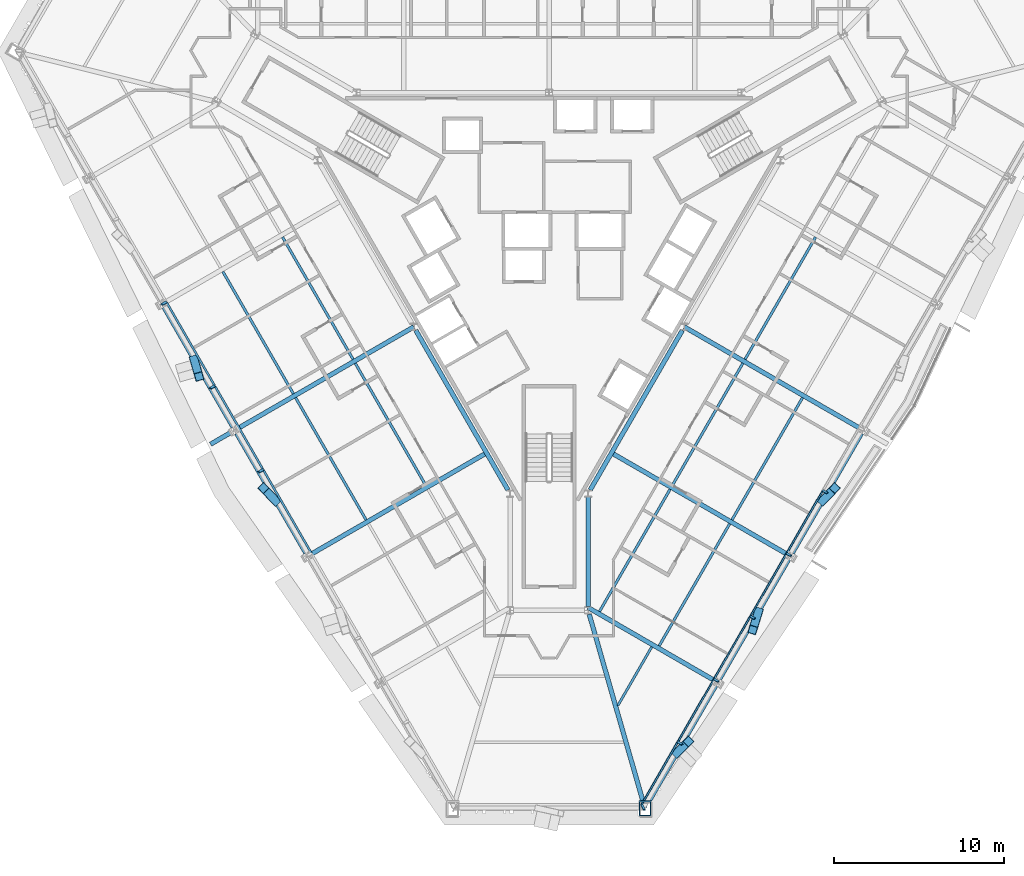
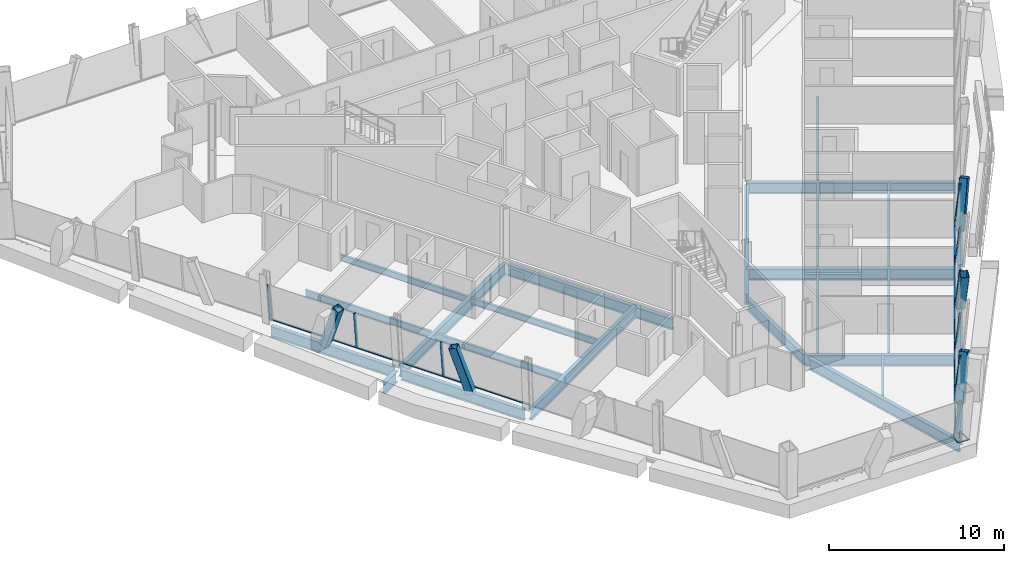
# One storey, part 3 of 15: 25 beams, 23 members, 2 elements without a shape of their own.
"""IFC4 building model written with IfcOpenShell, lengths in metres."""

from ifc_helpers import new_model, si_unit, direction, frame, origin, origin_2d, place, context, subcontext, project, spatial, rectangle, hollow_rectangle, i_section, extrude, material, material_profile, profile_set, type_object, element, aggregate, save


model = new_model("IFC4")

# Units and contexts
model_context = context("Model", 3, precision=1e-05, world=origin(), true_north=direction((0.0, 1.0)))
body_context = subcontext(model_context, "Body", "Model", "MODEL_VIEW")
ifc_project = project(units=[si_unit("LENGTHUNIT", "METRE"), si_unit("AREAUNIT", "SQUARE_METRE"), si_unit("VOLUMEUNIT", "CUBIC_METRE"), si_unit("PLANEANGLEUNIT", "RADIAN"), si_unit("MASSUNIT", "GRAM", prefix="KILO")], contexts=[model_context])

# Site, building, storey
site_placement = place(None, origin())
site = spatial("IfcSite", under=ifc_project, at=site_placement, CompositionType="ELEMENT")
building_placement = place(site_placement, origin())
building = spatial("IfcBuilding", under=site, at=building_placement, Name="Verrane Prism Tower", CompositionType="ELEMENT")
storey_placement = place(building_placement, frame((0.0, 0.0, 72.800048828125)))
storey = spatial("IfcBuildingStorey", under=building, at=storey_placement, Name="L16", CompositionType="ELEMENT", Elevation=72.800048828125)

# Beams
ifc_material_1 = material(Name="Steel A992", Category="steel")
ifc_material_profile_1 = material_profile(ifc_material_1, i_section(OverallWidth=0.2666015625, OverallDepth=0.7568359375, WebThickness=0.013916015625, FlangeThickness=0.019287109375, FilletRadius=0.0166015625, at=origin_2d()), Name="W30x108")
ifc_profile_set_1 = profile_set([ifc_material_profile_1], Name="Steel A992")
beam_type_1 = type_object("IfcBeamType", Name="Core ring girder W30x108", PredefinedType="BEAM", material=ifc_profile_set_1)
beam_1_placement = place(storey_placement, frame((-7.849609375, -4.808349609375, -0.628662109375), z_axis=(0.500013103396, -0.866017838403, 0.0), x_axis=(0.866017838403, 0.500013103396, 0.0)))
element("IfcBeam", 1, at=beam_1_placement, inside=storey, type_object=beam_type_1, Name="Core ring girder L16", PredefinedType="BEAM", context=body_context, shape_type="SweptSolid", body=[
    extrude(i_section(OverallWidth=0.2666015625, OverallDepth=0.7568359375, WebThickness=0.013916015625, FlangeThickness=0.019287109375, FilletRadius=0.0166015625, at=origin_2d()), origin(), (0.0, 0.0, 1.0), 10.858154296875),
])
beam_2_placement = place(storey_placement, frame((2.300048828125, -21.07275390625, -0.628662109375), z_axis=(0.0, 1.0, 0.0), x_axis=(-1.0, 0.0, 0.0)))
element("IfcBeam", 2, at=beam_2_placement, inside=storey, type_object=beam_type_1, Name="Core ring girder L16", PredefinedType="BEAM", context=body_context, shape_type="SweptSolid", body=[
    extrude(i_section(OverallWidth=0.2666015625, OverallDepth=0.7568359375, WebThickness=0.013916015625, FlangeThickness=0.019287109375, FilletRadius=0.0166015625, at=origin_2d()), origin(), (0.0, 0.0, 1.0), 6.4443359375),
])
beam_3_placement = place(storey_placement, frame((2.42041015625, -14.211669921875, -0.628662109375), z_axis=(0.500013103396, 0.866017838403, 0.0), x_axis=(-0.866017838403, 0.500013103396, 0.0)))
element("IfcBeam", 3, at=beam_3_placement, inside=storey, type_object=beam_type_1, Name="Core ring girder L16", PredefinedType="BEAM", context=body_context, shape_type="SweptSolid", body=[
    extrude(i_section(OverallWidth=0.2666015625, OverallDepth=0.7568359375, WebThickness=0.013916015625, FlangeThickness=0.019287109375, FilletRadius=0.0166015625, at=origin_2d()), origin(), (0.0, 0.0, 1.0), 10.858154296875),
])
ifc_material_2 = material(Name="Steel A992", Category="steel")
ifc_material_profile_2 = material_profile(ifc_material_2, i_section(OverallWidth=0.2666015625, OverallDepth=0.76708984375, WebThickness=0.014892578125, FlangeThickness=0.023681640625, FilletRadius=0.0166015625, at=origin_2d()), Name="W30x124")
ifc_profile_set_2 = profile_set([ifc_material_profile_2], Name="Steel A992")
beam_type_2 = type_object("IfcBeamType", Name="Corner girder W30x124", PredefinedType="BEAM", material=ifc_profile_set_2)
beam_4_placement = place(storey_placement, frame((5.64892578125, -32.956298828125, -0.603515625), z_axis=(-0.276141726937, 0.961116926625, 0.0), x_axis=(-0.961116926625, -0.276141726937, 0.0)))
element("IfcBeam", 4, at=beam_4_placement, inside=storey, type_object=beam_type_2, Name="Corner girder L16", PredefinedType="BEAM", context=body_context, shape_type="SweptSolid", body=[
    extrude(i_section(OverallWidth=0.2666015625, OverallDepth=0.76708984375, WebThickness=0.014892578125, FlangeThickness=0.023681640625, FilletRadius=0.0166015625, at=origin_2d()), origin(), (0.0, 0.0, 1.0), 11.891357421875),
])

# Members
ifc_material_3 = material(Name="Steel A1085 Grade A", Category="steel")
ifc_material_profile_3 = material_profile(ifc_material_3, hollow_rectangle(XDim=0.508056640625, YDim=0.508056640625, WallThickness=0.025390625, InnerFilletRadius=0.0126953125, OuterFilletRadius=0.0380859375, at=origin_2d()), Name="HSS20x20x1")
ifc_profile_set_3 = profile_set([ifc_material_profile_3], Name="Steel A1085 Grade A")
member_type_1 = type_object("IfcMemberType", Name="Facade brace HSS20x20x1", PredefinedType="BRACE", material=ifc_profile_set_3)
member_1_placement = place(storey_placement, frame((-20.90625, -6.530029296875, -0.24267578125), z_axis=(0.089847110297, -0.313198893452, 0.94542791894), x_axis=(0.96123016039, 0.275747309607, 0.0)))
element("IfcMember", 5, at=member_1_placement, inside=storey, type_object=member_type_1, Name="Facade brace SW2 L16", PredefinedType="BRACE", context=body_context, shape_type="SweptSolid", body=[
    extrude(hollow_rectangle(XDim=0.508056640625, YDim=0.508056640625, WallThickness=0.025390625, InnerFilletRadius=0.0126953125, OuterFilletRadius=0.0380859375, at=origin_2d()), origin(), (0.0, 0.0, 1.0), 3.181884765625),
])
member_2_placement = place(storey_placement, frame((-16.108154296875, -14.84423828125, -0.24267578125), z_axis=(-0.225974998724, 0.234492222785, 0.945488602472), x_axis=(-0.720062907588, -0.693908790199, 0.0)))
element("IfcMember", 6, at=member_2_placement, inside=storey, type_object=member_type_1, Name="Facade brace SW3 L16", PredefinedType="BRACE", context=body_context, shape_type="SweptSolid", body=[
    extrude(hollow_rectangle(XDim=0.508056640625, YDim=0.508056640625, WallThickness=0.025390625, InnerFilletRadius=0.0126953125, OuterFilletRadius=0.0380859375, at=origin_2d()), origin(), (0.0, 0.0, 1.0), 3.181640625),
])
member_3_placement = place(storey_placement, frame((7.52978515625, -29.701171875, -0.24267578125), z_axis=(0.21415077921, 0.214460133893, 0.952967100552), x_axis=(-0.70761695904, 0.706596234974, 0.0)))
element("IfcMember", 7, at=member_3_placement, inside=storey, type_object=member_type_1, Name="Facade brace SE0 L16", PredefinedType="BRACE", context=body_context, shape_type="SweptSolid", body=[
    extrude(hollow_rectangle(XDim=0.508056640625, YDim=0.508056640625, WallThickness=0.025390625, InnerFilletRadius=0.0126953125, OuterFilletRadius=0.0380859375, at=origin_2d()), origin(), (0.0, 0.0, 1.0), 3.15673828125),
])
member_4_placement = place(storey_placement, frame((12.327880859375, -21.386962890625, -0.24267578125), z_axis=(-0.102572328527, -0.332218684237, 0.937608480798), x_axis=(0.955494651133, -0.295008426415, 0.0)))
element("IfcMember", 8, at=member_4_placement, inside=storey, type_object=member_type_1, Name="Facade brace SE1 L16", PredefinedType="BRACE", context=body_context, shape_type="SweptSolid", body=[
    extrude(hollow_rectangle(XDim=0.508056640625, YDim=0.508056640625, WallThickness=0.025390625, InnerFilletRadius=0.0126953125, OuterFilletRadius=0.0380859375, at=origin_2d()), origin(), (0.0, 0.0, 1.0), 3.20849609375),
])
member_5_placement = place(storey_placement, frame((16.108154296875, -14.84423828125, -0.24267578125), z_axis=(0.225974998724, 0.234492222785, 0.945488602472), x_axis=(-0.720062907588, 0.693908790199, 0.0)))
element("IfcMember", 9, at=member_5_placement, inside=storey, type_object=member_type_1, Name="Facade brace SE2 L16", PredefinedType="BRACE", context=body_context, shape_type="SweptSolid", body=[
    extrude(hollow_rectangle(XDim=0.508056640625, YDim=0.508056640625, WallThickness=0.025390625, InnerFilletRadius=0.0126953125, OuterFilletRadius=0.0380859375, at=origin_2d()), origin(), (0.0, 0.0, 1.0), 3.181640625),
])

# Beams
ifc_material_4 = material(Name="Steel A992", Category="steel")
ifc_material_profile_4 = material_profile(ifc_material_4, i_section(OverallWidth=0.140380859375, OverallDepth=0.40380859375, WebThickness=0.007080078125, FlangeThickness=0.01123046875, FilletRadius=0.01025390625, at=origin_2d()), Name="W16x31")
ifc_profile_set_4 = profile_set([ifc_material_profile_4], Name="Steel A992")
beam_type_3 = type_object("IfcBeamType", Name="Floor beam W16x31", PredefinedType="BEAM", material=ifc_profile_set_4)
beam_5_placement = place(storey_placement, frame((4.051513671875, -26.91259765625, -0.362060546875), z_axis=(0.499995658264, 0.866027910472, 0.0), x_axis=(-0.866027910472, 0.499995658264, 0.0)))
element("IfcBeam", 10, at=beam_5_placement, inside=storey, type_object=beam_type_3, Name="Floor beam L16", PredefinedType="BEAM", context=body_context, shape_type="SweptSolid", body=[
    extrude(i_section(OverallWidth=0.140380859375, OverallDepth=0.40380859375, WebThickness=0.007080078125, FlangeThickness=0.01123046875, FilletRadius=0.01025390625, at=origin_2d()), origin(), (0.0, 0.0, 1.0), 3.99658203125),
])
ifc_material_5 = material(Name="Steel A992", Category="steel")
ifc_material_profile_5 = material_profile(ifc_material_5, i_section(OverallWidth=0.15234375, OverallDepth=0.449462890625, WebThickness=0.007568359375, FlangeThickness=0.0107421875, FilletRadius=0.01025390625, at=origin_2d()), Name="W18x35")
ifc_profile_set_5 = profile_set([ifc_material_profile_5], Name="Steel A992")
beam_type_4 = type_object("IfcBeamType", Name="Floor beam W18x35", PredefinedType="BEAM", material=ifc_profile_set_5)
beam_6_placement = place(storey_placement, frame((-11.545166015625, -6.51171875, -0.384765625), z_axis=(-0.499988705844, 0.86603192437, 0.0), x_axis=(-0.86603192437, -0.499988705844, 0.0)))
element("IfcBeam", 11, at=beam_6_placement, inside=storey, type_object=beam_type_4, Name="Floor beam L16", PredefinedType="BEAM", context=body_context, shape_type="SweptSolid", body=[
    extrude(i_section(OverallWidth=0.15234375, OverallDepth=0.449462890625, WebThickness=0.007568359375, FlangeThickness=0.0107421875, FilletRadius=0.01025390625, at=origin_2d()), origin(), (0.0, 0.0, 1.0), 8.307861328125),
])
beam_7_placement = place(storey_placement, frame((-15.06103515625, -8.54296875, -0.384765625), z_axis=(-0.500001430823, 0.866024577697, 0.0), x_axis=(-0.866024577697, -0.500001430823, 0.0)))
element("IfcBeam", 12, at=beam_7_placement, inside=storey, type_object=beam_type_4, Name="Floor beam L16", PredefinedType="BEAM", context=body_context, shape_type="SweptSolid", body=[
    extrude(i_section(OverallWidth=0.15234375, OverallDepth=0.449462890625, WebThickness=0.007568359375, FlangeThickness=0.0107421875, FilletRadius=0.01025390625, at=origin_2d()), origin(), (0.0, 0.0, 1.0), 8.3076171875),
])
beam_8_placement = place(storey_placement, frame((-7.26171875, -13.94189453125, -0.384765625), z_axis=(-0.500000517071, 0.866025105253, 0.0), x_axis=(-0.866025105253, -0.500000517071, 0.0)))
element("IfcBeam", 13, at=beam_8_placement, inside=storey, type_object=beam_type_4, Name="Floor beam L16", PredefinedType="BEAM", context=body_context, shape_type="SweptSolid", body=[
    extrude(i_section(OverallWidth=0.15234375, OverallDepth=0.449462890625, WebThickness=0.007568359375, FlangeThickness=0.0107421875, FilletRadius=0.01025390625, at=origin_2d()), origin(), (0.0, 0.0, 1.0), 8.3095703125),
])
beam_9_placement = place(storey_placement, frame((-10.7763671875, -15.969482421875, -0.384765625), z_axis=(-0.499995524547, 0.866027987673, 0.0), x_axis=(-0.866027987673, -0.499995524547, 0.0)))
element("IfcBeam", 14, at=beam_9_placement, inside=storey, type_object=beam_type_4, Name="Floor beam L16", PredefinedType="BEAM", context=body_context, shape_type="SweptSolid", body=[
    extrude(i_section(OverallWidth=0.15234375, OverallDepth=0.449462890625, WebThickness=0.007568359375, FlangeThickness=0.0107421875, FilletRadius=0.01025390625, at=origin_2d()), origin(), (0.0, 0.0, 1.0), 8.306640625),
])
beam_10_placement = place(storey_placement, frame((6.4853515625, -23.394775390625, -0.384765625), z_axis=(0.50000392623, 0.866023136963, 0.0), x_axis=(-0.866023136963, 0.50000392623, 0.0)))
element("IfcBeam", 15, at=beam_10_placement, inside=storey, type_object=beam_type_4, Name="Floor beam L16", PredefinedType="BEAM", context=body_context, shape_type="SweptSolid", body=[
    extrude(i_section(OverallWidth=0.15234375, OverallDepth=0.449462890625, WebThickness=0.007568359375, FlangeThickness=0.0107421875, FilletRadius=0.01025390625, at=origin_2d()), origin(), (0.0, 0.0, 1.0), 8.30908203125),
])
beam_11_placement = place(storey_placement, frame((2.9736328125, -21.365234375, -0.384765625), z_axis=(0.499989616998, 0.866031398331, 0.0), x_axis=(-0.866031398331, 0.499989616998, 0.0)))
element("IfcBeam", 16, at=beam_11_placement, inside=storey, type_object=beam_type_4, Name="Floor beam L16", PredefinedType="BEAM", context=body_context, shape_type="SweptSolid", body=[
    extrude(i_section(OverallWidth=0.15234375, OverallDepth=0.449462890625, WebThickness=0.007568359375, FlangeThickness=0.0107421875, FilletRadius=0.01025390625, at=origin_2d()), origin(), (0.0, 0.0, 1.0), 8.305908203125),
])
beam_12_placement = place(storey_placement, frame((10.7763671875, -15.969482421875, -0.384765625), z_axis=(0.499995524547, 0.866027987673, 0.0), x_axis=(-0.866027987673, 0.499995524547, 0.0)))
element("IfcBeam", 17, at=beam_12_placement, inside=storey, type_object=beam_type_4, Name="Floor beam L16", PredefinedType="BEAM", context=body_context, shape_type="SweptSolid", body=[
    extrude(i_section(OverallWidth=0.15234375, OverallDepth=0.449462890625, WebThickness=0.007568359375, FlangeThickness=0.0107421875, FilletRadius=0.01025390625, at=origin_2d()), origin(), (0.0, 0.0, 1.0), 8.306640625),
])
beam_13_placement = place(storey_placement, frame((7.26171875, -13.94189453125, -0.384765625), z_axis=(0.500000517071, 0.866025105253, 0.0), x_axis=(-0.866025105253, 0.500000517071, 0.0)))
element("IfcBeam", 18, at=beam_13_placement, inside=storey, type_object=beam_type_4, Name="Floor beam L16", PredefinedType="BEAM", context=body_context, shape_type="SweptSolid", body=[
    extrude(i_section(OverallWidth=0.15234375, OverallDepth=0.449462890625, WebThickness=0.007568359375, FlangeThickness=0.0107421875, FilletRadius=0.01025390625, at=origin_2d()), origin(), (0.0, 0.0, 1.0), 8.3095703125),
])
beam_14_placement = place(storey_placement, frame((11.545166015625, -6.51171875, -0.384765625), z_axis=(0.499988705844, 0.86603192437, 0.0), x_axis=(-0.86603192437, 0.499988705844, 0.0)))
element("IfcBeam", 19, at=beam_14_placement, inside=storey, type_object=beam_type_4, Name="Floor beam L16", PredefinedType="BEAM", context=body_context, shape_type="SweptSolid", body=[
    extrude(i_section(OverallWidth=0.15234375, OverallDepth=0.449462890625, WebThickness=0.007568359375, FlangeThickness=0.0107421875, FilletRadius=0.01025390625, at=origin_2d()), origin(), (0.0, 0.0, 1.0), 8.307861328125),
])

# Member
ifc_material_6 = material(Name="Steel A572 Grade 50", Category="steel")
ifc_material_profile_6 = material_profile(ifc_material_6, hollow_rectangle(XDim=0.699951171875, YDim=0.89990234375, WallThickness=0.06494140625, at=origin_2d()), Name="BOX 900x700x65")
ifc_profile_set_6 = profile_set([ifc_material_profile_6], Name="Steel A572 Grade 50")
member_type_2 = type_object("IfcMemberType", Name="Kink node BOX 900x700x65", PredefinedType="COLLAR", material=ifc_profile_set_6)
member_6_placement = place(storey_placement, frame((5.65087890625, -32.961669921875, -0.0400390625), z_axis=(0.0, 0.0, 1.0), x_axis=(-1.0, 0.0, 0.0)))
element("IfcMember", 20, at=member_6_placement, inside=storey, type_object=member_type_2, Name="Kink node MC3 L16", PredefinedType="COLLAR", context=body_context, shape_type="SweptSolid", body=[
    extrude(hollow_rectangle(XDim=0.699951171875, YDim=0.89990234375, WallThickness=0.06494140625, at=origin_2d()), origin(), (0.0, 0.0, 1.0), 0.080078125),
])

# Curtain wall, members
ifc_material_7 = material(Name="Aluminium framed insulated glazing", Category="aluminium")
curtain_wall_type_1 = type_object("IfcCurtainWallType", Name="Curtain wall CW-C 4200 module", PredefinedType="NOTDEFINED", material=ifc_material_7)
curtain_wall_1_placement = place(storey_placement, origin())
curtain_wall_1 = element("IfcCurtainWall", 21, at=curtain_wall_1_placement, inside=storey, type_object=curtain_wall_type_1, Name="Glazed curtain wall south-east face L16", PredefinedType="NOTDEFINED")
ifc_material_8 = material(Name="Aluminium alloy 6063-T6", Category="aluminium")
ifc_material_profile_7 = material_profile(ifc_material_8, rectangle(XDim=0.139892578125, YDim=0.050048828125, at=origin_2d()), Name="Mullion 50x140 aluminium")
ifc_profile_set_7 = profile_set([ifc_material_profile_7], Name="Aluminium alloy 6063-T6")
member_type_3 = type_object("IfcMemberType", Name="Mullion 50x140 aluminium", PredefinedType="MULLION", material=ifc_profile_set_7)
member_7_placement = place(storey_placement, frame((5.453369140625, -32.736328125, 0.0), z_axis=(0.060908818872, -0.122095337526, 0.990647689311), x_axis=(-0.996061070952, 0.056639651554, 0.068222377601)))
member_7 = element("IfcMember", 22, at=member_7_placement, type_object=member_type_3, Name="CW14.6 mullion 1", PredefinedType="MULLION", context=body_context, shape_type="SweptSolid", body=[
    extrude(rectangle(XDim=0.139892578125, YDim=0.050048828125, at=origin_2d()), origin(), (0.0, 0.0, 1.0), 2.637451171875),
])
member_8_placement = place(storey_placement, frame((7.578369140625, -29.055908203125, 0.0), z_axis=(0.098772084644, -0.056998176665, 0.993476362654), x_axis=(-0.863094352371, -0.501813667585, 0.057019136519)))
member_8 = element("IfcMember", 23, at=member_8_placement, type_object=member_type_3, Name="CW14.6 mullion 2", PredefinedType="MULLION", context=body_context, shape_type="SweptSolid", body=[
    extrude(rectangle(XDim=0.139892578125, YDim=0.050048828125, at=origin_2d()), origin(), (0.0, 0.0, 1.0), 2.6298828125),
])
member_9_placement = place(storey_placement, frame((9.7158203125, -25.353759765625, 0.0), z_axis=(0.098771561601, -0.057090705249, 0.99347110174), x_axis=(-0.863445525252, -0.501206573881, 0.057042047835)))
member_9 = element("IfcMember", 24, at=member_9_placement, type_object=member_type_3, Name="CW14.6 mullion 3", PredefinedType="MULLION", context=body_context, shape_type="SweptSolid", body=[
    extrude(rectangle(XDim=0.139892578125, YDim=0.050048828125, at=origin_2d()), origin(), (0.0, 0.0, 1.0), 2.6298828125),
])
member_10_placement = place(storey_placement, frame((11.85302734375, -21.65185546875, 0.0), z_axis=(0.098864008635, -0.056997653805, 0.993467249212), x_axis=(-0.862886305746, -0.502166819343, 0.057058819711)))
member_10 = element("IfcMember", 25, at=member_10_placement, type_object=member_type_3, Name="CW14.6 mullion 4", PredefinedType="MULLION", context=body_context, shape_type="SweptSolid", body=[
    extrude(rectangle(XDim=0.139892578125, YDim=0.050048828125, at=origin_2d()), origin(), (0.0, 0.0, 1.0), 2.6298828125),
])
member_11_placement = place(storey_placement, frame((13.990478515625, -17.94970703125, 0.0), z_axis=(0.098772084644, -0.056998176665, 0.993476362654), x_axis=(-0.863094352371, -0.501813667585, 0.057019136519)))
member_11 = element("IfcMember", 26, at=member_11_placement, type_object=member_type_3, Name="CW14.6 mullion 5", PredefinedType="MULLION", context=body_context, shape_type="SweptSolid", body=[
    extrude(rectangle(XDim=0.139892578125, YDim=0.050048828125, at=origin_2d()), origin(), (0.0, 0.0, 1.0), 2.6298828125),
])
member_12_placement = place(storey_placement, frame((16.1279296875, -14.24755859375, 0.0), z_axis=(0.098771561601, -0.057090705249, 0.99347110174), x_axis=(-0.863445525252, -0.501206573881, 0.057042047835)))
member_12 = element("IfcMember", 27, at=member_12_placement, type_object=member_type_3, Name="CW14.6 mullion 6", PredefinedType="MULLION", context=body_context, shape_type="SweptSolid", body=[
    extrude(rectangle(XDim=0.139892578125, YDim=0.050048828125, at=origin_2d()), origin(), (0.0, 0.0, 1.0), 2.6298828125),
])

ifc_material_9 = material(Name="Aluminium framed insulated glazing", Category="aluminium")
curtain_wall_type_2 = type_object("IfcCurtainWallType", Name="Curtain wall CW-B 5600 module", PredefinedType="NOTDEFINED", material=ifc_material_9)
curtain_wall_2_placement = place(storey_placement, origin())
curtain_wall_2 = element("IfcCurtainWall", 28, at=curtain_wall_2_placement, inside=storey, type_object=curtain_wall_type_2, Name="Glazed curtain wall south-west face L16", PredefinedType="NOTDEFINED")
ifc_material_10 = material(Name="Aluminium alloy 6063-T6", Category="aluminium")
ifc_material_profile_8 = material_profile(ifc_material_10, rectangle(XDim=0.159912109375, YDim=0.06005859375, at=origin_2d()), Name="Mullion 60x160 aluminium")
ifc_profile_set_8 = profile_set([ifc_material_profile_8], Name="Aluminium alloy 6063-T6")
member_type_4 = type_object("IfcMemberType", Name="Mullion 60x160 aluminium", PredefinedType="MULLION", material=ifc_profile_set_8)
member_13_placement = place(storey_placement, frame((-22.5400390625, -3.141357421875, 0.0), z_axis=(-0.098772084644, -0.056998176665, 0.993476362654), x_axis=(0.863094352371, -0.501813667585, 0.057019136519)))
member_13 = element("IfcMember", 29, at=member_13_placement, type_object=member_type_4, Name="CW14.4 mullion 4", PredefinedType="MULLION", context=body_context, shape_type="SweptSolid", body=[
    extrude(rectangle(XDim=0.159912109375, YDim=0.06005859375, at=origin_2d()), origin(), (0.0, 0.0, 1.0), 2.6298828125),
])
member_14_placement = place(storey_placement, frame((-19.690185546875, -8.077392578125, 0.0), z_axis=(-0.098771561601, -0.057090705249, 0.99347110174), x_axis=(0.863445525252, -0.501206573881, 0.057042047835)))
member_14 = element("IfcMember", 30, at=member_14_placement, type_object=member_type_4, Name="CW14.4 mullion 5", PredefinedType="MULLION", context=body_context, shape_type="SweptSolid", body=[
    extrude(rectangle(XDim=0.159912109375, YDim=0.06005859375, at=origin_2d()), origin(), (0.0, 0.0, 1.0), 2.6298828125),
])
member_15_placement = place(storey_placement, frame((-16.84033203125, -13.013671875, 0.0), z_axis=(-0.098772084644, -0.056998176665, 0.993476362654), x_axis=(0.863094352371, -0.501813667585, 0.057019136519)))
member_15 = element("IfcMember", 31, at=member_15_placement, type_object=member_type_4, Name="CW14.4 mullion 6", PredefinedType="MULLION", context=body_context, shape_type="SweptSolid", body=[
    extrude(rectangle(XDim=0.159912109375, YDim=0.06005859375, at=origin_2d()), origin(), (0.0, 0.0, 1.0), 2.6298828125),
])

# Beams
ifc_material_11 = material(Name="Steel A992", Category="steel")
ifc_material_profile_9 = material_profile(ifc_material_11, i_section(OverallWidth=0.2666015625, OverallDepth=0.76708984375, WebThickness=0.014892578125, FlangeThickness=0.023681640625, FilletRadius=0.0166015625, at=origin_2d()), Name="W30x124")
ifc_profile_set_9 = profile_set([ifc_material_profile_9], Name="Steel A992")
beam_type_5 = type_object("IfcBeamType", Name="Radial girder W30x124", PredefinedType="BEAM", material=ifc_profile_set_9)
beam_15_placement = place(storey_placement, frame((-18.29443359375, -10.5654296875, -0.603515625), z_axis=(0.866027038082, 0.499997169302, 0.0), x_axis=(-0.499997169302, 0.866027038082, 0.0)))
element("IfcBeam", 32, at=beam_15_placement, inside=storey, type_object=beam_type_5, Name="Radial girder L16", PredefinedType="BEAM", context=body_context, shape_type="SweptSolid", body=[
    extrude(i_section(OverallWidth=0.2666015625, OverallDepth=0.76708984375, WebThickness=0.014892578125, FlangeThickness=0.023681640625, FilletRadius=0.0166015625, at=origin_2d()), origin(), (0.0, 0.0, 1.0), 11.923828125),
])
beam_16_placement = place(storey_placement, frame((-14.00439453125, -17.985595703125, -0.603515625), z_axis=(0.866014689455, 0.500018557304, 0.0), x_axis=(-0.500018557304, 0.866014689455, 0.0)))
element("IfcBeam", 33, at=beam_16_placement, inside=storey, type_object=beam_type_5, Name="Radial girder L16", PredefinedType="BEAM", context=body_context, shape_type="SweptSolid", body=[
    extrude(i_section(OverallWidth=0.2666015625, OverallDepth=0.76708984375, WebThickness=0.014892578125, FlangeThickness=0.023681640625, FilletRadius=0.0166015625, at=origin_2d()), origin(), (0.0, 0.0, 1.0), 11.9189453125),
])
beam_17_placement = place(storey_placement, frame((9.71435546875, -25.41552734375, -0.603515625), z_axis=(-0.866019851127, 0.500009617362, 0.0), x_axis=(-0.500009617362, -0.866019851127, 0.0)))
element("IfcBeam", 34, at=beam_17_placement, inside=storey, type_object=beam_type_5, Name="Radial girder L16", PredefinedType="BEAM", context=body_context, shape_type="SweptSolid", body=[
    extrude(i_section(OverallWidth=0.2666015625, OverallDepth=0.76708984375, WebThickness=0.014892578125, FlangeThickness=0.023681640625, FilletRadius=0.0166015625, at=origin_2d()), origin(), (0.0, 0.0, 1.0), 8.561279296875),
])
beam_18_placement = place(storey_placement, frame((14.00439453125, -17.985595703125, -0.603515625), z_axis=(-0.866014689455, 0.500018557304, 0.0), x_axis=(-0.500018557304, -0.866014689455, 0.0)))
element("IfcBeam", 35, at=beam_18_placement, inside=storey, type_object=beam_type_5, Name="Radial girder L16", PredefinedType="BEAM", context=body_context, shape_type="SweptSolid", body=[
    extrude(i_section(OverallWidth=0.2666015625, OverallDepth=0.76708984375, WebThickness=0.014892578125, FlangeThickness=0.023681640625, FilletRadius=0.0166015625, at=origin_2d()), origin(), (0.0, 0.0, 1.0), 11.9189453125),
])
beam_19_placement = place(storey_placement, frame((18.29443359375, -10.5654296875, -0.603515625), z_axis=(-0.866027038082, 0.499997169302, 0.0), x_axis=(-0.499997169302, -0.866027038082, 0.0)))
element("IfcBeam", 36, at=beam_19_placement, inside=storey, type_object=beam_type_5, Name="Radial girder L16", PredefinedType="BEAM", context=body_context, shape_type="SweptSolid", body=[
    extrude(i_section(OverallWidth=0.2666015625, OverallDepth=0.76708984375, WebThickness=0.014892578125, FlangeThickness=0.023681640625, FilletRadius=0.0166015625, at=origin_2d()), origin(), (0.0, 0.0, 1.0), 11.923828125),
])
beam_20_placement = place(storey_placement, frame((-18.72216796875, -10.8125, -0.603515625), z_axis=(-0.866040790738, -0.499973348067, 0.0), x_axis=(0.499973348067, -0.866040790738, 0.0)))
element("IfcBeam", 37, at=beam_20_placement, inside=storey, type_object=beam_type_5, Name="Cantilever girder L16", PredefinedType="BEAM", context=body_context, shape_type="SweptSolid", body=[
    extrude(i_section(OverallWidth=0.2666015625, OverallDepth=0.76708984375, WebThickness=0.014892578125, FlangeThickness=0.023681640625, FilletRadius=0.0166015625, at=origin_2d()), origin(), (0.0, 0.0, 1.0), 1.40380859375),
])
ifc_material_12 = material(Name="Steel A992", Category="steel")
ifc_material_profile_10 = material_profile(ifc_material_12, i_section(OverallWidth=0.2666015625, OverallDepth=0.7568359375, WebThickness=0.013916015625, FlangeThickness=0.019287109375, FilletRadius=0.0166015625, at=origin_2d()), Name="W30x108")
ifc_profile_set_10 = profile_set([ifc_material_profile_10], Name="Steel A992")
beam_type_6 = type_object("IfcBeamType", Name="Spandrel beam W30x108", PredefinedType="SPANDREL", material=ifc_profile_set_10)
beam_21_placement = place(storey_placement, frame((-22.68212890625, -3.447021484375, -0.53857421875), z_axis=(0.499122745432, -0.866531294872, 0.0), x_axis=(0.866531294872, 0.499122745432, 0.0)))
element("IfcBeam", 38, at=beam_21_placement, inside=storey, type_object=beam_type_6, Name="Spandrel beam L16", PredefinedType="SPANDREL", context=body_context, shape_type="SweptSolid", body=[
    extrude(i_section(OverallWidth=0.2666015625, OverallDepth=0.7568359375, WebThickness=0.013916015625, FlangeThickness=0.019287109375, FilletRadius=0.0166015625, at=origin_2d()), origin(), (0.0, 0.0, 1.0), 8.142822265625),
])
beam_22_placement = place(storey_placement, frame((-18.40185546875, -10.876953125, -0.53857421875), z_axis=(0.500519459501, -0.865725285908, 0.0), x_axis=(0.865725285908, 0.500519459501, 0.0)))
element("IfcBeam", 39, at=beam_22_placement, inside=storey, type_object=beam_type_6, Name="Spandrel beam L16", PredefinedType="SPANDREL", context=body_context, shape_type="SweptSolid", body=[
    extrude(i_section(OverallWidth=0.2666015625, OverallDepth=0.7568359375, WebThickness=0.013916015625, FlangeThickness=0.019287109375, FilletRadius=0.0166015625, at=origin_2d()), origin(), (0.0, 0.0, 1.0), 8.138916015625),
])
beam_23_placement = place(storey_placement, frame((5.90966796875, -32.510009765625, -0.53857421875), z_axis=(0.499636978106, 0.866234893149, 0.0), x_axis=(-0.866234893149, 0.499636978106, 0.0)))
element("IfcBeam", 40, at=beam_23_placement, inside=storey, type_object=beam_type_6, Name="Spandrel beam L16", PredefinedType="SPANDREL", context=body_context, shape_type="SweptSolid", body=[
    extrude(i_section(OverallWidth=0.2666015625, OverallDepth=0.7568359375, WebThickness=0.013916015625, FlangeThickness=0.019287109375, FilletRadius=0.0166015625, at=origin_2d()), origin(), (0.0, 0.0, 1.0), 7.830322265625),
])
beam_24_placement = place(storey_placement, frame((10.0380859375, -25.35302734375, -0.53857421875), z_axis=(0.500022470507, 0.866012430043, 0.0), x_axis=(-0.866012430043, 0.500022470507, 0.0)))
element("IfcBeam", 41, at=beam_24_placement, inside=storey, type_object=beam_type_6, Name="Spandrel beam L16", PredefinedType="SPANDREL", context=body_context, shape_type="SweptSolid", body=[
    extrude(i_section(OverallWidth=0.2666015625, OverallDepth=0.7568359375, WebThickness=0.013916015625, FlangeThickness=0.019287109375, FilletRadius=0.0166015625, at=origin_2d()), origin(), (0.0, 0.0, 1.0), 8.147705078125),
])
beam_25_placement = place(storey_placement, frame((14.328125, -17.923095703125, -0.53857421875), z_axis=(0.500519459501, 0.865725285908, 0.0), x_axis=(-0.865725285908, 0.500519459501, 0.0)))
element("IfcBeam", 42, at=beam_25_placement, inside=storey, type_object=beam_type_6, Name="Spandrel beam L16", PredefinedType="SPANDREL", context=body_context, shape_type="SweptSolid", body=[
    extrude(i_section(OverallWidth=0.2666015625, OverallDepth=0.7568359375, WebThickness=0.013916015625, FlangeThickness=0.019287109375, FilletRadius=0.0166015625, at=origin_2d()), origin(), (0.0, 0.0, 1.0), 8.138916015625),
])

# Member
ifc_material_13 = material(Name="Aluminium alloy 6063-T6", Category="aluminium")
ifc_material_profile_11 = material_profile(ifc_material_13, rectangle(XDim=0.10009765625, YDim=0.050048828125, at=origin_2d()), Name="Transom 50x100 aluminium")
ifc_profile_set_11 = profile_set([ifc_material_profile_11], Name="Aluminium alloy 6063-T6")
member_type_5 = type_object("IfcMemberType", Name="Transom 50x100 aluminium", PredefinedType="USERDEFINED", material=ifc_profile_set_11)
member_16_placement = place(storey_placement, frame((5.4658203125, -32.714599609375, 0.02490234375), z_axis=(0.500052886544, 0.865994867571, 0.0), x_axis=(-0.865994867571, 0.500052886544, 0.0)))
member_16 = element("IfcMember", 43, at=member_16_placement, type_object=member_type_5, Name="CW14.6 transom 1", ObjectType="TRANSOM", PredefinedType="USERDEFINED", context=body_context, shape_type="SweptSolid", body=[
    extrude(rectangle(XDim=0.10009765625, YDim=0.050048828125, at=origin_2d()), origin(), (0.0, 0.0, 1.0), 4.19970703125),
])

member_17_placement = place(storey_placement, frame((7.5908203125, -29.0341796875, 0.02490234375), z_axis=(0.499992582699, 0.866029686123, 0.0), x_axis=(-0.866029686123, 0.499992582699, 0.0)))
member_17 = element("IfcMember", 44, at=member_17_placement, type_object=member_type_5, Name="CW14.6 transom 2", ObjectType="TRANSOM", PredefinedType="USERDEFINED", context=body_context, shape_type="SweptSolid", body=[
    extrude(rectangle(XDim=0.10009765625, YDim=0.050048828125, at=origin_2d()), origin(), (0.0, 0.0, 1.0), 4.224609375),
])

member_18_placement = place(storey_placement, frame((9.728271484375, -25.332275390625, 0.02490234375), z_axis=(0.499967560512, 0.866044131922, 0.0), x_axis=(-0.866044131922, 0.499967560512, 0.0)))
member_18 = element("IfcMember", 45, at=member_18_placement, type_object=member_type_5, Name="CW14.6 transom 3", ObjectType="TRANSOM", PredefinedType="USERDEFINED", context=body_context, shape_type="SweptSolid", body=[
    extrude(rectangle(XDim=0.10009765625, YDim=0.050048828125, at=origin_2d()), origin(), (0.0, 0.0, 1.0), 4.224853515625),
])

member_19_placement = place(storey_placement, frame((11.865478515625, -21.630126953125, 0.02490234375), z_axis=(0.500035923186, 0.86600466253, 0.0), x_axis=(-0.86600466253, 0.500035923186, 0.0)))
member_19 = element("IfcMember", 46, at=member_19_placement, type_object=member_type_5, Name="CW14.6 transom 4", ObjectType="TRANSOM", PredefinedType="USERDEFINED", context=body_context, shape_type="SweptSolid", body=[
    extrude(rectangle(XDim=0.10009765625, YDim=0.050048828125, at=origin_2d()), origin(), (0.0, 0.0, 1.0), 4.224853515625),
])

member_20_placement = place(storey_placement, frame((14.0029296875, -17.927978515625, 0.02490234375), z_axis=(0.500035923186, 0.86600466253, 0.0), x_axis=(-0.86600466253, 0.500035923186, 0.0)))
member_20 = element("IfcMember", 47, at=member_20_placement, type_object=member_type_5, Name="CW14.6 transom 5", ObjectType="TRANSOM", PredefinedType="USERDEFINED", context=body_context, shape_type="SweptSolid", body=[
    extrude(rectangle(XDim=0.10009765625, YDim=0.050048828125, at=origin_2d()), origin(), (0.0, 0.0, 1.0), 4.224853515625),
])

aggregate(curtain_wall_1, [member_7, member_8, member_9, member_10, member_11, member_12, member_16, member_17, member_18, member_19, member_20])

ifc_material_14 = material(Name="Aluminium alloy 6063-T6", Category="aluminium")
ifc_material_profile_12 = material_profile(ifc_material_14, rectangle(XDim=0.1201171875, YDim=0.06005859375, at=origin_2d()), Name="Transom 60x120 aluminium")
ifc_profile_set_12 = profile_set([ifc_material_profile_12], Name="Aluminium alloy 6063-T6")
member_type_6 = type_object("IfcMemberType", Name="Transom 60x120 aluminium", PredefinedType="USERDEFINED", material=ifc_profile_set_12)
member_21_placement = place(storey_placement, frame((-22.525146484375, -3.167236328125, 0.030029296875), z_axis=(0.499984757355, -0.866034203951, 0.0), x_axis=(0.866034203951, 0.499984757355, 0.0)))
member_21 = element("IfcMember", 48, at=member_21_placement, type_object=member_type_6, Name="CW14.4 transom 4", ObjectType="TRANSOM", PredefinedType="USERDEFINED", context=body_context, shape_type="SweptSolid", body=[
    extrude(rectangle(XDim=0.1201171875, YDim=0.06005859375, at=origin_2d()), origin(), (0.0, 0.0, 1.0), 5.639892578125),
])

member_22_placement = place(storey_placement, frame((-19.67529296875, -8.103515625, 0.030029296875), z_axis=(0.500003502126, -0.866023381821, 0.0), x_axis=(0.866023381821, 0.500003502126, 0.0)))
member_22 = element("IfcMember", 49, at=member_22_placement, type_object=member_type_6, Name="CW14.4 transom 5", ObjectType="TRANSOM", PredefinedType="USERDEFINED", context=body_context, shape_type="SweptSolid", body=[
    extrude(rectangle(XDim=0.1201171875, YDim=0.06005859375, at=origin_2d()), origin(), (0.0, 0.0, 1.0), 5.6396484375),
])

member_23_placement = place(storey_placement, frame((-16.825439453125, -13.03955078125, 0.030029296875), z_axis=(0.500003502126, -0.866023381821, 0.0), x_axis=(0.866023381821, 0.500003502126, 0.0)))
member_23 = element("IfcMember", 50, at=member_23_placement, type_object=member_type_6, Name="CW14.4 transom 6", ObjectType="TRANSOM", PredefinedType="USERDEFINED", context=body_context, shape_type="SweptSolid", body=[
    extrude(rectangle(XDim=0.1201171875, YDim=0.06005859375, at=origin_2d()), origin(), (0.0, 0.0, 1.0), 5.6396484375),
])

aggregate(curtain_wall_2, [member_13, member_14, member_15, member_21, member_22, member_23])

save(model, "model.ifc")
